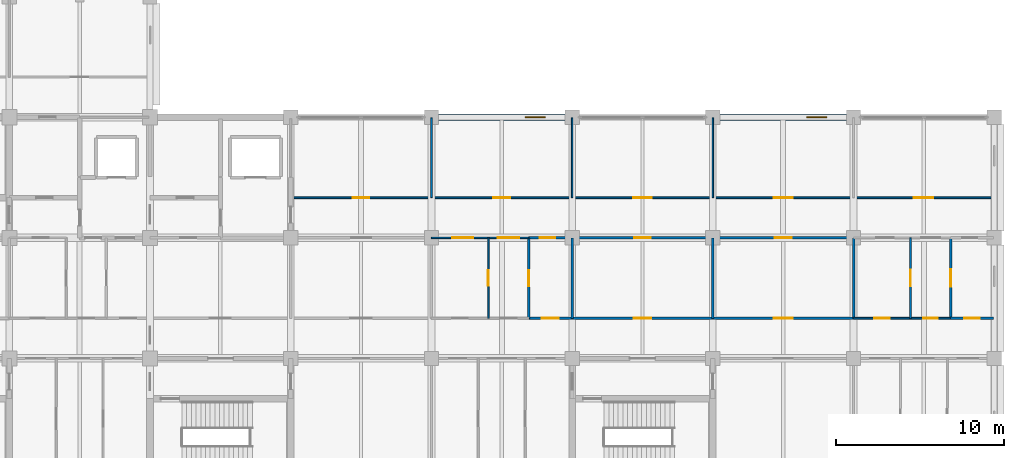
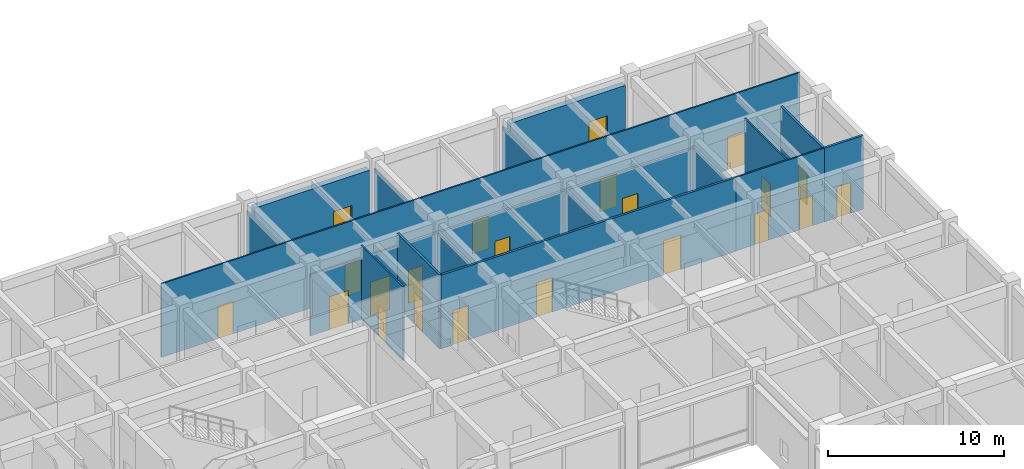
# One storey, part 58 of 68: 20 doors, 18 walls, 2 windows, 22 openings.
"""IFC4 building model written with IfcOpenShell, lengths in metres."""

import ifcopenshell
import ifcopenshell.guid

model = None  # the IFC model being written
_history = None  # IfcOwnerHistory: only IFC2X3 demands one
_inside = {}  # id of a spatial element -> (the spatial element, [elements in it])
_under = {}  # id of a project, library or spatial element -> (it, [spatial elements below it])
_declared = {}  # id of a project -> (the project, [libraries it declares])
_typed = {}  # id of a type object -> (the type object, [elements of that type])
_made_of = {}  # id of a material, layer set ... -> (it, [elements and type objects made of it])


def new_model(schema):
    """Start an empty IFC model of exactly this schema.

    Asked for "IFC4X3", IfcOpenShell would pick the latest addendum, in which some entities
    have other attributes; the version numbers below select the first issue.
    IFC2X3 requires an IfcOwnerHistory on every rooted entity: one is made here for all.
    """
    global model, _history
    if schema == "IFC4X3":
        model = ifcopenshell.file(schema_version=(4, 3, 0, 0))
    else:
        model = ifcopenshell.file(schema=schema)
    _inside.clear()
    _under.clear()
    _declared.clear()
    _typed.clear()
    _made_of.clear()
    _history = None
    if model.schema == "IFC2X3":
        org = make("IfcOrganization", Name="unknown")
        user = make(
            "IfcPersonAndOrganization",
            ThePerson=make("IfcPerson", FamilyName="unknown"),
            TheOrganization=org,
        )
        app = make(
            "IfcApplication",
            ApplicationDeveloper=org,
            Version="unknown",
            ApplicationFullName="unknown",
            ApplicationIdentifier="unknown",
        )
        _history = make(
            "IfcOwnerHistory",
            OwningUser=user,
            OwningApplication=app,
            ChangeAction="ADDED",
            CreationDate=0,
        )
    return model


def make(cls, **values):
    """One entity of the class cls with the attributes given. An attribute that is None is left unset."""
    return model.create_entity(
        cls, **{name: value for name, value in values.items() if value is not None}
    )


def rooted(cls, **values):
    """An entity with a GlobalId (a new one), such as an element, a storey or a relation."""
    return make(cls, GlobalId=ifcopenshell.guid.new(), OwnerHistory=_history, **values)


def si_unit(unit_type, name, prefix=None):
    """IfcSIUnit, for example si_unit("LENGTHUNIT", "METRE", prefix="MILLI")."""
    return make("IfcSIUnit", UnitType=unit_type, Prefix=prefix, Name=name)


def assignment(units):
    """IfcUnitAssignment: the units of a project."""
    return None if units is None else make("IfcUnitAssignment", Units=units)


def point(xyz):
    """IfcCartesianPoint."""
    return None if xyz is None else make("IfcCartesianPoint", Coordinates=xyz)


def direction(xyz):
    """IfcDirection."""
    return None if xyz is None else make("IfcDirection", DirectionRatios=xyz)


def frame(location, z_axis=None, x_axis=None):
    """IfcAxis2Placement3D, a coordinate frame: its origin and axes. An axis left out is left unset."""
    return make(
        "IfcAxis2Placement3D",
        Location=point(location),
        Axis=direction(z_axis),
        RefDirection=direction(x_axis),
    )


def frame_2d(location, x_axis=None):
    """IfcAxis2Placement2D, a coordinate frame in the plane: its origin and x axis."""
    return make(
        "IfcAxis2Placement2D", Location=point(location), RefDirection=direction(x_axis)
    )


def origin():
    """The frame at (0, 0, 0) with its axes left unset."""
    return frame((0.0, 0.0, 0.0))


def place(relative_to, where):
    """IfcLocalPlacement: puts the frame where relative to a parent placement (None: the world)."""
    return make(
        "IfcLocalPlacement", PlacementRelTo=relative_to, RelativePlacement=where
    )


def context(
    kind, dimensions, precision=None, world=None, true_north=None, identifier=None
):
    """IfcGeometricRepresentationContext, for example the 3D "Model" context."""
    return make(
        "IfcGeometricRepresentationContext",
        ContextIdentifier=identifier,
        ContextType=kind,
        CoordinateSpaceDimension=dimensions,
        Precision=precision,
        WorldCoordinateSystem=world,
        TrueNorth=true_north,
    )


def subcontext(parent, identifier, kind, view, scale=None):
    """IfcGeometricRepresentationSubContext, for example "Body" below "Model"."""
    return make(
        "IfcGeometricRepresentationSubContext",
        ContextIdentifier=identifier,
        ContextType=kind,
        ParentContext=parent,
        TargetScale=scale,
        TargetView=view,
    )


def project(units=None, contexts=None):
    """IfcProject with its units and contexts."""
    return rooted(
        "IfcProject",
        Name="project",
        RepresentationContexts=contexts,
        UnitsInContext=assignment(units),
    )


def spatial(cls, under=None, at=None, **own):
    """A site, building, storey or space (cls), placed at a placement, below another one or the project."""
    s = rooted(cls, ObjectPlacement=at, **own)
    if under is not None:
        _under.setdefault(under.id(), (under, []))[1].append(s)
    return s


def profile(cls, at=None, kind="AREA", **sizes):
    """A parametric profile (cls). Its sizes go by their IFC names, for example OverallWidth=200.0."""
    return make(cls, ProfileType=kind, Position=at, **sizes)


def rectangle(**sizes):
    """IfcRectangleProfileDef."""
    return profile("IfcRectangleProfileDef", **sizes)


def extrude(swept, where, along, depth):
    """IfcExtrudedAreaSolid: the profile swept, set in the frame where, extruded along a direction by depth."""
    return make(
        "IfcExtrudedAreaSolid",
        SweptArea=swept,
        Position=where,
        ExtrudedDirection=direction(along),
        Depth=depth,
    )


def shape(context_of_items, identifier, shape_type, items):
    """IfcShapeRepresentation: the items that make up one representation, for example the "Body"."""
    return make(
        "IfcShapeRepresentation",
        ContextOfItems=context_of_items,
        RepresentationIdentifier=identifier,
        RepresentationType=shape_type,
        Items=items,
    )


def material(Name=None, Category=None):
    """IfcMaterial."""
    return make("IfcMaterial", Name=Name, Category=Category)


def layer(
    of_material, thickness, ventilated=None, Name=None, Category=None, Priority=None
):
    """IfcMaterialLayer: one layer of a wall or slab, of a material (None: an air gap)."""
    return make(
        "IfcMaterialLayer",
        Material=of_material,
        LayerThickness=thickness,
        IsVentilated=ventilated,
        Name=Name,
        Category=Category,
        Priority=Priority,
    )


def layer_set(layers, Name=None):
    """IfcMaterialLayerSet."""
    return make("IfcMaterialLayerSet", MaterialLayers=layers, LayerSetName=Name)


def made_of(thing, what):
    """Note that an element or type object is made of a material, layer set ...; save() writes the relation."""
    if what is not None:
        _made_of.setdefault(what.id(), (what, []))[1].append(thing)
    return thing


def type_object(cls, material=None, **own):
    """A type object (cls), such as IfcWallType, which elements share."""
    return made_of(rooted(cls, **own), material)


def element(
    cls,
    number,
    at=None,
    inside=None,
    cuts=None,
    type_object=None,
    material=None,
    context=None,
    identifier="Body",
    shape_type=None,
    held_by="IfcProductDefinitionShape",
    body=None,
    shapes=None,
    **own,
):
    """One element of the class cls, such as IfcWall. Its Tag is "e" and its number.

    at: its placement. inside: the storey or other place that contains it. cuts: it is an
    opening in that element (IfcRelVoidsElement). A single representation is given by context,
    identifier, shape_type and body (its items); several are given by shapes. held_by: the class
    of the entity that holds the representations. save() writes the other relations.
    """
    e = rooted(cls, Tag="e%d" % number, ObjectPlacement=at, **own)
    if body is not None:
        shapes = [shape(context, identifier, shape_type, body)]
    if shapes is not None:
        e.Representation = make(held_by, Representations=shapes)
    if inside is not None:
        _inside.setdefault(inside.id(), (inside, []))[1].append(e)
    if cuts is not None:
        rooted(
            "IfcRelVoidsElement", RelatingBuildingElement=cuts, RelatedOpeningElement=e
        )
    if type_object is not None:
        _typed.setdefault(type_object.id(), (type_object, []))[1].append(e)
    return made_of(e, material)


def fill(opening, filler):
    """IfcRelFillsElement: the door or window that sits in an opening."""
    return rooted(
        "IfcRelFillsElement",
        RelatingOpeningElement=opening,
        RelatedBuildingElement=filler,
    )


def aggregate(whole, parts):
    """IfcRelAggregates: a whole, such as a stair, and the parts it consists of."""
    return rooted("IfcRelAggregates", RelatingObject=whole, RelatedObjects=parts)


def save(model, path):
    """Write the relations noted so far, then the file.

    IfcRelAggregates (storeys below a building ...), IfcRelContainedInSpatialStructure (elements
    in a storey), IfcRelDefinesByType, IfcRelAssociatesMaterial and IfcRelDeclares: one each for
    every whole, place, type object, material and project.
    """
    for whole, parts in _under.values():
        aggregate(whole, parts)
    for where, things in _inside.values():
        rooted(
            "IfcRelContainedInSpatialStructure",
            RelatedElements=things,
            RelatingStructure=where,
        )
    for kind, things in _typed.values():
        rooted("IfcRelDefinesByType", RelatedObjects=things, RelatingType=kind)
    for what, things in _made_of.values():
        rooted("IfcRelAssociatesMaterial", RelatedObjects=things, RelatingMaterial=what)
    for by, libraries in _declared.values():
        rooted("IfcRelDeclares", RelatingContext=by, RelatedDefinitions=libraries)
    model.write(path)


model = new_model("IFC4")

# Units and contexts
model_context = context("Model", 3, precision=1e-05, world=origin(), true_north=direction((0.0, 1.0)))
body_context = subcontext(model_context, "Body", "Model", "MODEL_VIEW")
ifc_project = project(units=[si_unit("LENGTHUNIT", "METRE"), si_unit("AREAUNIT", "SQUARE_METRE"), si_unit("VOLUMEUNIT", "CUBIC_METRE"), si_unit("PLANEANGLEUNIT", "RADIAN"), si_unit("MASSUNIT", "GRAM", prefix="KILO")], contexts=[model_context])

# Site, building, storey
site_placement = place(None, origin())
site = spatial("IfcSite", under=ifc_project, at=site_placement, CompositionType="ELEMENT")
building_placement = place(site_placement, origin())
building = spatial("IfcBuilding", under=site, at=building_placement, Name="Chengyuan Square Courthouse", CompositionType="ELEMENT")
storey_placement = place(building_placement, frame((0.0, 0.0, 5.39990234375)))
storey = spatial("IfcBuildingStorey", under=building, at=storey_placement, Name="L02", CompositionType="ELEMENT", Elevation=5.39990234375)

# Wall, opening, window
ifc_material_1 = material(Name="Concrete C40", Category="concrete")
ifc_layer_1 = layer(ifc_material_1, 0.3798828125)
ifc_layer_set_1 = layer_set([ifc_layer_1], Name="Concrete C40")
wall_type_1 = type_object("IfcWallType", Name="WL-EW1", PredefinedType="STANDARD", material=ifc_layer_set_1)
wall_1_placement = place(storey_placement, frame((134.820068359375, 108.0, 0.0), z_axis=(0.0, 0.0, 1.0), x_axis=(1.0, 0.0, 0.0)))
wall_1 = element("IfcWall", 1, at=wall_1_placement, inside=storey, type_object=wall_type_1, Name="Exterior Wall WL-L02-E238", PredefinedType="STANDARD", context=body_context, shape_type="SweptSolid", body=[
    extrude(rectangle(XDim=7.559814453125, YDim=0.3798828125, at=frame_2d((3.77978515625, 0.0))), origin(), (0.0, 0.0, 1.0), 4.47021484375),
])
opening_1_placement = place(wall_1_placement, frame((5.179931640625, 0.0, 0.85009765625)))
opening_1 = element("IfcOpeningElement", 2, at=opening_1_placement, cuts=wall_1, Name="Opening WN-041", PredefinedType="OPENING", context=body_context, shape_type="SweptSolid", body=[
    extrude(rectangle(XDim=1.199951171875, YDim=1.56005859375, at=frame_2d((0.60009765625, 0.780029296875))), frame((0.0, 0.201904296875, 0.0), z_axis=(0.0, -1.0, 0.0), x_axis=(1.0, 0.0, 0.0)), (0.0, 0.0, 1.0), 0.40380859375),
])
ifc_material_2 = material(Name="Thermally Broken Aluminium Triple Low-E Window", Category="aluminium")
window_type_1 = type_object("IfcWindowType", Name="WT-15", PartitioningType="SINGLE_PANEL", PredefinedType="WINDOW", material=ifc_material_2)
window_1_placement = place(opening_1_placement, origin())
window_1 = element("IfcWindow", 3, at=window_1_placement, inside=storey, type_object=window_type_1, Name="Facade Window WN-041", OverallHeight=1.56005859375, OverallWidth=1.199951171875, PartitioningType="SINGLE_PANEL", PredefinedType="WINDOW", context=body_context, shape_type="SweptSolid", body=[
    extrude(rectangle(XDim=1.199951171875, YDim=1.56005859375, at=frame_2d((0.60009765625, 0.780029296875))), frame((0.0, 0.030029296875, 0.0), z_axis=(0.0, -1.0, 0.0), x_axis=(1.0, 0.0, 0.0)), (0.0, 0.0, 1.0), 0.06005859375),
])
fill(opening_1, window_1)

wall_2_placement = place(storey_placement, frame((151.6201171875, 108.0, 0.0), z_axis=(0.0, 0.0, 1.0), x_axis=(1.0, 0.0, 0.0)))
wall_2 = element("IfcWall", 4, at=wall_2_placement, inside=storey, type_object=wall_type_1, Name="Exterior Wall WL-L02-E246", PredefinedType="STANDARD", context=body_context, shape_type="SweptSolid", body=[
    extrude(rectangle(XDim=7.559814453125, YDim=0.3798828125, at=frame_2d((3.77978515625, 0.0))), origin(), (0.0, 0.0, 1.0), 4.47021484375),
])
opening_2_placement = place(wall_2_placement, frame((5.179931640625, 0.0, 0.85009765625)))
opening_2 = element("IfcOpeningElement", 5, at=opening_2_placement, cuts=wall_2, Name="Opening WN-048", PredefinedType="OPENING", context=body_context, shape_type="SweptSolid", body=[
    extrude(rectangle(XDim=1.199951171875, YDim=1.919921875, at=frame_2d((0.60009765625, 0.9599609375))), frame((0.0, 0.201904296875, 0.0), z_axis=(0.0, -1.0, 0.0), x_axis=(1.0, 0.0, 0.0)), (0.0, 0.0, 1.0), 0.40380859375),
])
window_type_2 = type_object("IfcWindowType", Name="WT-17", PartitioningType="SINGLE_PANEL", PredefinedType="WINDOW", material=ifc_material_2)
window_2_placement = place(opening_2_placement, origin())
window_2 = element("IfcWindow", 6, at=window_2_placement, inside=storey, type_object=window_type_2, Name="Facade Window WN-048", OverallHeight=1.919921875, OverallWidth=1.199951171875, PartitioningType="SINGLE_PANEL", PredefinedType="WINDOW", context=body_context, shape_type="SweptSolid", body=[
    extrude(rectangle(XDim=1.199951171875, YDim=1.919921875, at=frame_2d((0.60009765625, 0.9599609375))), frame((0.0, 0.030029296875, 0.0), z_axis=(0.0, -1.0, 0.0), x_axis=(1.0, 0.0, 0.0)), (0.0, 0.0, 1.0), 0.06005859375),
])
fill(opening_2, window_2)

# Wall, openings, doors
ifc_material_3 = material(Name="Deliberation Room Sound-Insulated Partition")
ifc_layer_2 = layer(ifc_material_3, 0.14990234375)
ifc_layer_set_2 = layer_set([ifc_layer_2], Name="Deliberation Room Sound-Insulated Partition")
wall_type_2 = type_object("IfcWallType", Name="WL-PT3", PredefinedType="STANDARD", material=ifc_layer_set_2)
wall_3_placement = place(storey_placement, frame((140.199951171875, 96.0, 0.0), z_axis=(0.0, 0.0, 1.0), x_axis=(1.0, 0.0, 0.0)))
wall_3 = element("IfcWall", 7, at=wall_3_placement, inside=storey, type_object=wall_type_2, Name="Interior Wall WL-L02-I1123", PredefinedType="STANDARD", context=body_context, shape_type="SweptSolid", body=[
    extrude(rectangle(XDim=19.400146484375, YDim=0.14990234375, at=frame_2d((9.7001953125, 0.0))), origin(), (0.0, 0.0, 1.0), 5.1201171875),
])
opening_3_placement = place(wall_3_placement, frame((0.7900390625, 0.0, 0.0)))
opening_3 = element("IfcOpeningElement", 8, at=opening_3_placement, cuts=wall_3, Name="Opening DR-1151", PredefinedType="OPENING", context=body_context, shape_type="SweptSolid", body=[
    extrude(rectangle(XDim=1.02001953125, YDim=2.39990234375, at=frame_2d((0.510009765625, 1.199951171875))), frame((0.0, 0.0869140625, 0.0), z_axis=(0.0, -1.0, 0.0), x_axis=(1.0, 0.0, 0.0)), (0.0, 0.0, 1.0), 0.173828125),
])
opening_4_placement = place(wall_3_placement, frame((6.27001953125, 0.0, 0.0)))
opening_4 = element("IfcOpeningElement", 9, at=opening_4_placement, cuts=wall_3, Name="Opening DR-1152", PredefinedType="OPENING", context=body_context, shape_type="SweptSolid", body=[
    extrude(rectangle(XDim=1.06005859375, YDim=2.39990234375, at=frame_2d((0.530029296875, 1.199951171875))), frame((0.0, 0.0869140625, 0.0), z_axis=(0.0, -1.0, 0.0), x_axis=(1.0, 0.0, 0.0)), (0.0, 0.0, 1.0), 0.173828125),
])
opening_5_placement = place(wall_3_placement, frame((14.6298828125, 0.0, 0.0)))
opening_5 = element("IfcOpeningElement", 10, at=opening_5_placement, cuts=wall_3, Name="Opening DR-1153", PredefinedType="OPENING", context=body_context, shape_type="SweptSolid", body=[
    extrude(rectangle(XDim=1.139892578125, YDim=2.39990234375, at=frame_2d((0.56982421875, 1.199951171875))), frame((0.0, 0.0869140625, 0.0), z_axis=(0.0, -1.0, 0.0), x_axis=(1.0, 0.0, 0.0)), (0.0, 0.0, 1.0), 0.173828125),
])
ifc_material_4 = material(Name="Acoustic Solid-Core Timber Door", Category="wood")
door_type_1 = type_object("IfcDoorType", Name="DT-41", OperationType="NOTDEFINED", PredefinedType="DOOR", material=ifc_material_4)
door_1_placement = place(opening_3_placement, origin())
door_1 = element("IfcDoor", 11, at=door_1_placement, inside=storey, type_object=door_type_1, Name="Interior Door DR-1151", OperationType="SINGLE_SWING_LEFT", OverallHeight=2.39990234375, OverallWidth=1.02001953125, PredefinedType="DOOR", context=body_context, shape_type="SweptSolid", body=[
    extrude(rectangle(XDim=1.02001953125, YDim=2.39990234375, at=frame_2d((0.510009765625, 1.199951171875))), frame((0.0, 0.02490234375, 0.0), z_axis=(0.0, -1.0, 0.0), x_axis=(1.0, 0.0, 0.0)), (0.0, 0.0, 1.0), 0.050048828125),
])
fill(opening_3, door_1)
door_type_2 = type_object("IfcDoorType", Name="DT-42", OperationType="NOTDEFINED", PredefinedType="DOOR", material=ifc_material_4)
door_2_placement = place(opening_4_placement, origin())
door_2 = element("IfcDoor", 12, at=door_2_placement, inside=storey, type_object=door_type_2, Name="Interior Door DR-1152", OperationType="SINGLE_SWING_RIGHT", OverallHeight=2.39990234375, OverallWidth=1.06005859375, PredefinedType="DOOR", context=body_context, shape_type="SweptSolid", body=[
    extrude(rectangle(XDim=1.06005859375, YDim=2.39990234375, at=frame_2d((0.530029296875, 1.199951171875))), frame((0.0, 0.02490234375, 0.0), z_axis=(0.0, -1.0, 0.0), x_axis=(1.0, 0.0, 0.0)), (0.0, 0.0, 1.0), 0.050048828125),
])
fill(opening_4, door_2)
door_type_3 = type_object("IfcDoorType", Name="DT-43", OperationType="NOTDEFINED", PredefinedType="DOOR", material=ifc_material_4)
door_3_placement = place(opening_5_placement, origin())
door_3 = element("IfcDoor", 13, at=door_3_placement, inside=storey, type_object=door_type_3, Name="Interior Door DR-1153", OperationType="SINGLE_SWING_LEFT", OverallHeight=2.39990234375, OverallWidth=1.139892578125, PredefinedType="DOOR", context=body_context, shape_type="SweptSolid", body=[
    extrude(rectangle(XDim=1.139892578125, YDim=2.39990234375, at=frame_2d((0.56982421875, 1.199951171875))), frame((0.0, 0.02490234375, 0.0), z_axis=(0.0, -1.0, 0.0), x_axis=(1.0, 0.0, 0.0)), (0.0, 0.0, 1.0), 0.050048828125),
])
fill(opening_5, door_3)

# Wall, opening, door
wall_4_placement = place(storey_placement, frame((165.39990234375, 96.0, 0.0), z_axis=(0.0, 0.0, 1.0), x_axis=(1.0, 0.0, 0.0)))
wall_4 = element("IfcWall", 14, at=wall_4_placement, inside=storey, type_object=wall_type_2, Name="Interior Wall WL-L02-I1125", PredefinedType="STANDARD", context=body_context, shape_type="SweptSolid", body=[
    extrude(rectangle(XDim=2.56005859375, YDim=0.14990234375, at=frame_2d((1.280029296875, 0.0))), origin(), (0.0, 0.0, 1.0), 5.1201171875),
])
opening_6_placement = place(wall_4_placement, frame((0.820068359375, 0.0, 0.0)))
opening_6 = element("IfcOpeningElement", 15, at=opening_6_placement, cuts=wall_4, Name="Opening DR-1156", PredefinedType="OPENING", context=body_context, shape_type="SweptSolid", body=[
    extrude(rectangle(XDim=0.919921875, YDim=2.14990234375, at=frame_2d((0.4599609375, 1.074951171875))), frame((0.0, 0.0869140625, 0.0), z_axis=(0.0, -1.0, 0.0), x_axis=(1.0, 0.0, 0.0)), (0.0, 0.0, 1.0), 0.173828125),
])
door_type_4 = type_object("IfcDoorType", Name="DT-29", OperationType="NOTDEFINED", PredefinedType="DOOR", material=ifc_material_4)
door_4_placement = place(opening_6_placement, origin())
door_4 = element("IfcDoor", 16, at=door_4_placement, inside=storey, type_object=door_type_4, Name="Interior Door DR-1156", OperationType="SINGLE_SWING_RIGHT", OverallHeight=2.14990234375, OverallWidth=0.919921875, PredefinedType="DOOR", context=body_context, shape_type="SweptSolid", body=[
    extrude(rectangle(XDim=0.919921875, YDim=2.14990234375, at=frame_2d((0.4599609375, 1.074951171875))), frame((0.0, 0.02490234375, 0.0), z_axis=(0.0, -1.0, 0.0), x_axis=(1.0, 0.0, 0.0)), (0.0, 0.0, 1.0), 0.050048828125),
])
fill(opening_6, door_4)

# Wall, openings, doors
wall_5_placement = place(storey_placement, frame((140.199951171875, 100.800048828125, 0.0), z_axis=(0.0, 0.0, 1.0), x_axis=(1.0, 0.0, 0.0)))
wall_5 = element("IfcWall", 17, at=wall_5_placement, inside=storey, type_object=wall_type_2, Name="Interior Wall WL-L02-I1149", PredefinedType="STANDARD", context=body_context, shape_type="SweptSolid", body=[
    extrude(rectangle(XDim=19.400146484375, YDim=0.14990234375, at=frame_2d((9.7001953125, 0.0))), origin(), (0.0, 0.0, 1.0), 4.27001953125),
])
opening_7_placement = place(wall_5_placement, frame((0.657470703125, 0.0, 0.0)))
opening_7 = element("IfcOpeningElement", 18, at=opening_7_placement, cuts=wall_5, Name="Opening DR-1098", PredefinedType="OPENING", context=body_context, shape_type="SweptSolid", body=[
    extrude(rectangle(XDim=0.93994140625, YDim=2.300048828125, at=frame_2d((0.469970703125, 1.14990234375))), frame((0.0, 0.0869140625, 0.0), z_axis=(0.0, -1.0, 0.0), x_axis=(1.0, 0.0, 0.0)), (0.0, 0.0, 1.0), 0.173828125),
])
opening_8_placement = place(wall_5_placement, frame((6.31005859375, 0.0, 0.0)))
opening_8 = element("IfcOpeningElement", 19, at=opening_8_placement, cuts=wall_5, Name="Opening DR-1099", PredefinedType="OPENING", context=body_context, shape_type="SweptSolid", body=[
    extrude(rectangle(XDim=0.97998046875, YDim=2.35009765625, at=frame_2d((0.489990234375, 1.175048828125))), frame((0.0, 0.0869140625, 0.0), z_axis=(0.0, -1.0, 0.0), x_axis=(1.0, 0.0, 0.0)), (0.0, 0.0, 1.0), 0.173828125),
])
opening_9_placement = place(wall_5_placement, frame((14.68994140625, 0.0, 0.0)))
opening_9 = element("IfcOpeningElement", 20, at=opening_9_placement, cuts=wall_5, Name="Opening DR-1100", PredefinedType="OPENING", context=body_context, shape_type="SweptSolid", body=[
    extrude(rectangle(XDim=1.02001953125, YDim=2.39990234375, at=frame_2d((0.510009765625, 1.199951171875))), frame((0.0, 0.0869140625, 0.0), z_axis=(0.0, -1.0, 0.0), x_axis=(1.0, 0.0, 0.0)), (0.0, 0.0, 1.0), 0.173828125),
])
door_type_5 = type_object("IfcDoorType", Name="DT-39", OperationType="NOTDEFINED", PredefinedType="DOOR", material=ifc_material_4)
door_5_placement = place(opening_7_placement, origin())
door_5 = element("IfcDoor", 21, at=door_5_placement, inside=storey, type_object=door_type_5, Name="Interior Door DR-1098", OperationType="SINGLE_SWING_LEFT", OverallHeight=2.300048828125, OverallWidth=0.93994140625, PredefinedType="DOOR", context=body_context, shape_type="SweptSolid", body=[
    extrude(rectangle(XDim=0.93994140625, YDim=2.300048828125, at=frame_2d((0.469970703125, 1.14990234375))), frame((0.0, 0.02490234375, 0.0), z_axis=(0.0, -1.0, 0.0), x_axis=(1.0, 0.0, 0.0)), (0.0, 0.0, 1.0), 0.050048828125),
])
fill(opening_7, door_5)
door_type_6 = type_object("IfcDoorType", Name="DT-40", OperationType="NOTDEFINED", PredefinedType="DOOR", material=ifc_material_4)
door_6_placement = place(opening_8_placement, origin())
door_6 = element("IfcDoor", 22, at=door_6_placement, inside=storey, type_object=door_type_6, Name="Interior Door DR-1099", OperationType="SINGLE_SWING_RIGHT", OverallHeight=2.35009765625, OverallWidth=0.97998046875, PredefinedType="DOOR", context=body_context, shape_type="SweptSolid", body=[
    extrude(rectangle(XDim=0.97998046875, YDim=2.35009765625, at=frame_2d((0.489990234375, 1.175048828125))), frame((0.0, 0.02490234375, 0.0), z_axis=(0.0, -1.0, 0.0), x_axis=(1.0, 0.0, 0.0)), (0.0, 0.0, 1.0), 0.050048828125),
])
fill(opening_8, door_6)
door_7_placement = place(opening_9_placement, origin())
door_7 = element("IfcDoor", 23, at=door_7_placement, inside=storey, type_object=door_type_1, Name="Interior Door DR-1100", OperationType="SINGLE_SWING_LEFT", OverallHeight=2.39990234375, OverallWidth=1.02001953125, PredefinedType="DOOR", context=body_context, shape_type="SweptSolid", body=[
    extrude(rectangle(XDim=1.02001953125, YDim=2.39990234375, at=frame_2d((0.510009765625, 1.199951171875))), frame((0.0, 0.02490234375, 0.0), z_axis=(0.0, -1.0, 0.0), x_axis=(1.0, 0.0, 0.0)), (0.0, 0.0, 1.0), 0.050048828125),
])
fill(opening_9, door_7)

# Wall, opening, door
wall_6_placement = place(storey_placement, frame((140.199951171875, 96.0, 0.0), z_axis=(0.0, 0.0, 1.0), x_axis=(0.0, 1.0, 0.0)))
wall_6 = element("IfcWall", 24, at=wall_6_placement, inside=storey, type_object=wall_type_2, Name="Interior Wall WL-L02-I1361", PredefinedType="STANDARD", context=body_context, shape_type="SweptSolid", body=[
    extrude(rectangle(XDim=4.800048828125, YDim=0.14990234375, at=frame_2d((2.39990234375, 0.0))), origin(), (0.0, 0.0, 1.0), 5.1201171875),
])
opening_10_placement = place(wall_6_placement, frame((1.919921875, 0.0, 0.0)))
opening_10 = element("IfcOpeningElement", 25, at=opening_10_placement, cuts=wall_6, Name="Opening DR-1174", PredefinedType="OPENING", context=body_context, shape_type="SweptSolid", body=[
    extrude(rectangle(XDim=0.9599609375, YDim=2.199951171875, at=frame_2d((0.47998046875, 1.10009765625))), frame((0.0, 0.0869140625, 0.0), z_axis=(0.0, -1.0, 0.0), x_axis=(1.0, 0.0, 0.0)), (0.0, 0.0, 1.0), 0.173828125),
])
door_type_7 = type_object("IfcDoorType", Name="DT-30", OperationType="NOTDEFINED", PredefinedType="DOOR", material=ifc_material_4)
door_8_placement = place(opening_10_placement, origin())
door_8 = element("IfcDoor", 26, at=door_8_placement, inside=storey, type_object=door_type_7, Name="Interior Door DR-1174", OperationType="SINGLE_SWING_LEFT", OverallHeight=2.199951171875, OverallWidth=0.9599609375, PredefinedType="DOOR", context=body_context, shape_type="SweptSolid", body=[
    extrude(rectangle(XDim=0.9599609375, YDim=2.199951171875, at=frame_2d((0.47998046875, 1.10009765625))), frame((0.0, 0.02490234375, 0.0), z_axis=(0.0, -1.0, 0.0), x_axis=(1.0, 0.0, 0.0)), (0.0, 0.0, 1.0), 0.050048828125),
])
fill(opening_10, door_8)

# Walls
for number, where, z_axis, x_axis, name in (
    (27, (142.800048828125, 96.0, 0.0), (0.0, 0.0, 1.0), (0.0, 1.0, 0.0), "Interior Wall WL-L02-I1365"),
    (28, (151.199951171875, 96.0, 0.0), (0.0, 0.0, 1.0), (0.0, 1.0, 0.0), "Interior Wall WL-L02-I1370"),
    (29, (159.60009765625, 96.0, 0.0), (0.0, 0.0, 1.0), (0.0, 1.0, 0.0), "Interior Wall WL-L02-I1381"),
):
    element("IfcWall", number, at=place(storey_placement, frame(where, z_axis=z_axis, x_axis=x_axis)), inside=storey, type_object=wall_type_2, Name=name, PredefinedType="STANDARD", context=body_context, shape_type="SweptSolid", body=[
        extrude(rectangle(XDim=4.800048828125, YDim=0.14990234375, at=frame_2d((2.39990234375, 0.0))), origin(), (0.0, 0.0, 1.0), 4.3701171875),
    ])

# Wall, opening, door
wall_7_placement = place(storey_placement, frame((165.39990234375, 96.0, 0.0), z_axis=(0.0, 0.0, 1.0), x_axis=(0.0, 1.0, 0.0)))
wall_7 = element("IfcWall", 30, at=wall_7_placement, inside=storey, type_object=wall_type_2, Name="Interior Wall WL-L02-I1387", PredefinedType="STANDARD", context=body_context, shape_type="SweptSolid", body=[
    extrude(rectangle(XDim=4.800048828125, YDim=0.14990234375, at=frame_2d((2.39990234375, 0.0))), origin(), (0.0, 0.0, 1.0), 5.1201171875),
])
opening_11_placement = place(wall_7_placement, frame((1.8798828125, 0.0, 0.0)))
opening_11 = element("IfcOpeningElement", 31, at=opening_11_placement, cuts=wall_7, Name="Opening DR-1176", PredefinedType="OPENING", context=body_context, shape_type="SweptSolid", body=[
    extrude(rectangle(XDim=1.0400390625, YDim=2.199951171875, at=frame_2d((0.52001953125, 1.10009765625))), frame((0.0, 0.0869140625, 0.0), z_axis=(0.0, -1.0, 0.0), x_axis=(1.0, 0.0, 0.0)), (0.0, 0.0, 1.0), 0.173828125),
])
door_type_8 = type_object("IfcDoorType", Name="DT-32", OperationType="NOTDEFINED", PredefinedType="DOOR", material=ifc_material_4)
door_9_placement = place(opening_11_placement, origin())
door_9 = element("IfcDoor", 32, at=door_9_placement, inside=storey, type_object=door_type_8, Name="Interior Door DR-1176", OperationType="SINGLE_SWING_LEFT", OverallHeight=2.199951171875, OverallWidth=1.0400390625, PredefinedType="DOOR", context=body_context, shape_type="SweptSolid", body=[
    extrude(rectangle(XDim=1.0400390625, YDim=2.199951171875, at=frame_2d((0.52001953125, 1.10009765625))), frame((0.0, 0.02490234375, 0.0), z_axis=(0.0, -1.0, 0.0), x_axis=(1.0, 0.0, 0.0)), (0.0, 0.0, 1.0), 0.050048828125),
])
fill(opening_11, door_9)

# Wall, openings, doors
ifc_material_5 = material(Name="Gypsum Plasterboard Acoustic Stud Partition")
ifc_layer_3 = layer(ifc_material_5, 0.10009765625)
ifc_layer_set_3 = layer_set([ifc_layer_3], Name="Gypsum Plasterboard Acoustic Stud Partition")
wall_type_3 = type_object("IfcWallType", Name="WL-PT6", PredefinedType="STANDARD", material=ifc_layer_set_3)
wall_8_placement = place(storey_placement, frame((159.60009765625, 96.0, 0.0), z_axis=(0.0, 0.0, 1.0), x_axis=(1.0, 0.0, 0.0)))
wall_8 = element("IfcWall", 33, at=wall_8_placement, inside=storey, type_object=wall_type_3, Name="Interior Wall WL-L02-I1124", PredefinedType="STANDARD", context=body_context, shape_type="SweptSolid", body=[
    extrude(rectangle(XDim=5.7998046875, YDim=0.10009765625, at=frame_2d((2.89990234375, 0.0))), origin(), (0.0, 0.0, 1.0), 5.1201171875),
])
opening_12_placement = place(wall_8_placement, frame((1.25, 0.0, 0.0)))
opening_12 = element("IfcOpeningElement", 34, at=opening_12_placement, cuts=wall_8, Name="Opening DR-1154", PredefinedType="OPENING", context=body_context, shape_type="SweptSolid", body=[
    extrude(rectangle(XDim=0.89990234375, YDim=2.14990234375, at=frame_2d((0.449951171875, 1.074951171875))), frame((0.0, 0.06201171875, 0.0), z_axis=(0.0, -1.0, 0.0), x_axis=(1.0, 0.0, 0.0)), (0.0, 0.0, 1.0), 0.1240234375),
])
opening_13_placement = place(wall_8_placement, frame((4.169921875, 0.0, 0.0)))
opening_13 = element("IfcOpeningElement", 35, at=opening_13_placement, cuts=wall_8, Name="Opening DR-1155", PredefinedType="OPENING", context=body_context, shape_type="SweptSolid", body=[
    extrude(rectangle(XDim=0.860107421875, YDim=2.10009765625, at=frame_2d((0.43017578125, 1.050048828125))), frame((0.0, 0.06201171875, 0.0), z_axis=(0.0, -1.0, 0.0), x_axis=(1.0, 0.0, 0.0)), (0.0, 0.0, 1.0), 0.1240234375),
])
door_type_9 = type_object("IfcDoorType", Name="DT-27", OperationType="NOTDEFINED", PredefinedType="DOOR", material=ifc_material_4)
door_10_placement = place(opening_12_placement, origin())
door_10 = element("IfcDoor", 36, at=door_10_placement, inside=storey, type_object=door_type_9, Name="Interior Door DR-1154", OperationType="SINGLE_SWING_RIGHT", OverallHeight=2.14990234375, OverallWidth=0.89990234375, PredefinedType="DOOR", context=body_context, shape_type="SweptSolid", body=[
    extrude(rectangle(XDim=0.89990234375, YDim=2.14990234375, at=frame_2d((0.449951171875, 1.074951171875))), frame((0.0, 0.02490234375, 0.0), z_axis=(0.0, -1.0, 0.0), x_axis=(1.0, 0.0, 0.0)), (0.0, 0.0, 1.0), 0.050048828125),
])
fill(opening_12, door_10)
door_type_10 = type_object("IfcDoorType", Name="DT-28", OperationType="NOTDEFINED", PredefinedType="DOOR", material=ifc_material_4)
door_11_placement = place(opening_13_placement, origin())
door_11 = element("IfcDoor", 37, at=door_11_placement, inside=storey, type_object=door_type_10, Name="Interior Door DR-1155", OperationType="SINGLE_SWING_LEFT", OverallHeight=2.10009765625, OverallWidth=0.860107421875, PredefinedType="DOOR", context=body_context, shape_type="SweptSolid", body=[
    extrude(rectangle(XDim=0.860107421875, YDim=2.10009765625, at=frame_2d((0.43017578125, 1.050048828125))), frame((0.0, 0.02490234375, 0.0), z_axis=(0.0, -1.0, 0.0), x_axis=(1.0, 0.0, 0.0)), (0.0, 0.0, 1.0), 0.050048828125),
])
fill(opening_13, door_11)

wall_9_placement = place(storey_placement, frame((134.39990234375, 100.800048828125, 0.0), z_axis=(0.0, 0.0, 1.0), x_axis=(1.0, 0.0, 0.0)))
wall_9 = element("IfcWall", 38, at=wall_9_placement, inside=storey, type_object=wall_type_3, Name="Interior Wall WL-L02-I1148", PredefinedType="STANDARD", context=body_context, shape_type="SweptSolid", body=[
    extrude(rectangle(XDim=5.800048828125, YDim=0.10009765625, at=frame_2d((2.89990234375, 0.0))), origin(), (0.0, 0.0, 1.0), 4.27001953125),
])
opening_14_placement = place(wall_9_placement, frame((1.25244140625, 0.0, 0.0)))
opening_14 = element("IfcOpeningElement", 39, at=opening_14_placement, cuts=wall_9, Name="Opening DR-1096", PredefinedType="OPENING", context=body_context, shape_type="SweptSolid", body=[
    extrude(rectangle(XDim=1.239990234375, YDim=2.300048828125, at=frame_2d((0.6201171875, 1.14990234375))), frame((0.0, 0.06201171875, 0.0), z_axis=(0.0, -1.0, 0.0), x_axis=(1.0, 0.0, 0.0)), (0.0, 0.0, 1.0), 0.1240234375),
])
opening_15_placement = place(wall_9_placement, frame((3.9599609375, 0.0, 0.0)))
opening_15 = element("IfcOpeningElement", 40, at=opening_15_placement, cuts=wall_9, Name="Opening DR-1097", PredefinedType="OPENING", context=body_context, shape_type="SweptSolid", body=[
    extrude(rectangle(XDim=1.280029296875, YDim=2.35009765625, at=frame_2d((0.64013671875, 1.175048828125))), frame((0.0, 0.06201171875, 0.0), z_axis=(0.0, -1.0, 0.0), x_axis=(1.0, 0.0, 0.0)), (0.0, 0.0, 1.0), 0.1240234375),
])
door_type_11 = type_object("IfcDoorType", Name="DT-37", OperationType="NOTDEFINED", PredefinedType="DOOR", material=ifc_material_4)
door_12_placement = place(opening_14_placement, origin())
door_12 = element("IfcDoor", 41, at=door_12_placement, inside=storey, type_object=door_type_11, Name="Interior Door DR-1096", OperationType="SINGLE_SWING_LEFT", OverallHeight=2.300048828125, OverallWidth=1.239990234375, PredefinedType="DOOR", context=body_context, shape_type="SweptSolid", body=[
    extrude(rectangle(XDim=1.239990234375, YDim=2.300048828125, at=frame_2d((0.6201171875, 1.14990234375))), frame((0.0, 0.02490234375, 0.0), z_axis=(0.0, -1.0, 0.0), x_axis=(1.0, 0.0, 0.0)), (0.0, 0.0, 1.0), 0.050048828125),
])
fill(opening_14, door_12)
door_type_12 = type_object("IfcDoorType", Name="DT-38", OperationType="NOTDEFINED", PredefinedType="DOOR", material=ifc_material_4)
door_13_placement = place(opening_15_placement, origin())
door_13 = element("IfcDoor", 42, at=door_13_placement, inside=storey, type_object=door_type_12, Name="Interior Door DR-1097", OperationType="SINGLE_SWING_RIGHT", OverallHeight=2.35009765625, OverallWidth=1.280029296875, PredefinedType="DOOR", context=body_context, shape_type="SweptSolid", body=[
    extrude(rectangle(XDim=1.280029296875, YDim=2.35009765625, at=frame_2d((0.64013671875, 1.175048828125))), frame((0.0, 0.02490234375, 0.0), z_axis=(0.0, -1.0, 0.0), x_axis=(1.0, 0.0, 0.0)), (0.0, 0.0, 1.0), 0.050048828125),
])
fill(opening_15, door_13)

wall_10_placement = place(storey_placement, frame((126.0, 103.199951171875, 0.0), z_axis=(0.0, 0.0, 1.0), x_axis=(1.0, 0.0, 0.0)))
wall_10 = element("IfcWall", 43, at=wall_10_placement, inside=storey, type_object=wall_type_3, Name="Interior Wall WL-L02-I1161", PredefinedType="STANDARD", context=body_context, shape_type="SweptSolid", body=[
    extrude(rectangle(XDim=41.9599609375, YDim=0.10009765625, at=frame_2d((20.97998046875, 0.0))), origin(), (0.0, 0.0, 1.0), 5.1201171875),
])
opening_16_placement = place(wall_10_placement, frame((3.699951171875, 0.0, 0.0)))
opening_16 = element("IfcOpeningElement", 44, at=opening_16_placement, cuts=wall_10, Name="Opening DR-1090", PredefinedType="OPENING", context=body_context, shape_type="SweptSolid", body=[
    extrude(rectangle(XDim=1.0, YDim=2.25, at=frame_2d((0.5, 1.125))), frame((0.0, 0.06201171875, 0.0), z_axis=(0.0, -1.0, 0.0), x_axis=(1.0, 0.0, 0.0)), (0.0, 0.0, 1.0), 0.1240234375),
])
opening_17_placement = place(wall_10_placement, frame((12.080078125, 0.0, 0.0)))
opening_17 = element("IfcOpeningElement", 45, at=opening_17_placement, cuts=wall_10, Name="Opening DR-1091", PredefinedType="OPENING", context=body_context, shape_type="SweptSolid", body=[
    extrude(rectangle(XDim=1.0400390625, YDim=2.199951171875, at=frame_2d((0.52001953125, 1.10009765625))), frame((0.0, 0.06201171875, 0.0), z_axis=(0.0, -1.0, 0.0), x_axis=(1.0, 0.0, 0.0)), (0.0, 0.0, 1.0), 0.1240234375),
])
opening_18_placement = place(wall_10_placement, frame((20.4599609375, 0.0, 0.0)))
opening_18 = element("IfcOpeningElement", 46, at=opening_18_placement, cuts=wall_10, Name="Opening DR-1092", PredefinedType="OPENING", context=body_context, shape_type="SweptSolid", body=[
    extrude(rectangle(XDim=1.080078125, YDim=2.25, at=frame_2d((0.5400390625, 1.125))), frame((0.0, 0.06201171875, 0.0), z_axis=(0.0, -1.0, 0.0), x_axis=(1.0, 0.0, 0.0)), (0.0, 0.0, 1.0), 0.1240234375),
])
opening_19_placement = place(wall_10_placement, frame((28.840087890625, 0.0, 0.0)))
opening_19 = element("IfcOpeningElement", 47, at=opening_19_placement, cuts=wall_10, Name="Opening DR-1093", PredefinedType="OPENING", context=body_context, shape_type="SweptSolid", body=[
    extrude(rectangle(XDim=1.1201171875, YDim=2.25, at=frame_2d((0.56005859375, 1.125))), frame((0.0, 0.06201171875, 0.0), z_axis=(0.0, -1.0, 0.0), x_axis=(1.0, 0.0, 0.0)), (0.0, 0.0, 1.0), 0.1240234375),
])
opening_20_placement = place(wall_10_placement, frame((37.199951171875, 0.0, 0.0)))
opening_20 = element("IfcOpeningElement", 48, at=opening_20_placement, cuts=wall_10, Name="Opening DR-1094", PredefinedType="OPENING", context=body_context, shape_type="SweptSolid", body=[
    extrude(rectangle(XDim=1.159912109375, YDim=2.300048828125, at=frame_2d((0.580078125, 1.14990234375))), frame((0.0, 0.06201171875, 0.0), z_axis=(0.0, -1.0, 0.0), x_axis=(1.0, 0.0, 0.0)), (0.0, 0.0, 1.0), 0.1240234375),
])
door_type_13 = type_object("IfcDoorType", Name="DT-31", OperationType="NOTDEFINED", PredefinedType="DOOR", material=ifc_material_4)
door_14_placement = place(opening_16_placement, origin())
door_14 = element("IfcDoor", 49, at=door_14_placement, inside=storey, type_object=door_type_13, Name="Interior Door DR-1090", OperationType="SINGLE_SWING_LEFT", OverallHeight=2.25, OverallWidth=1.0, PredefinedType="DOOR", context=body_context, shape_type="SweptSolid", body=[
    extrude(rectangle(XDim=1.0, YDim=2.25, at=frame_2d((0.5, 1.125))), frame((0.0, 0.02490234375, 0.0), z_axis=(0.0, -1.0, 0.0), x_axis=(1.0, 0.0, 0.0)), (0.0, 0.0, 1.0), 0.050048828125),
])
fill(opening_16, door_14)
door_15_placement = place(opening_17_placement, origin())
door_15 = element("IfcDoor", 50, at=door_15_placement, inside=storey, type_object=door_type_8, Name="Interior Door DR-1091", OperationType="SINGLE_SWING_RIGHT", OverallHeight=2.199951171875, OverallWidth=1.0400390625, PredefinedType="DOOR", context=body_context, shape_type="SweptSolid", body=[
    extrude(rectangle(XDim=1.0400390625, YDim=2.199951171875, at=frame_2d((0.52001953125, 1.10009765625))), frame((0.0, 0.02490234375, 0.0), z_axis=(0.0, -1.0, 0.0), x_axis=(1.0, 0.0, 0.0)), (0.0, 0.0, 1.0), 0.050048828125),
])
fill(opening_17, door_15)
door_type_14 = type_object("IfcDoorType", Name="DT-33", OperationType="NOTDEFINED", PredefinedType="DOOR", material=ifc_material_4)
door_16_placement = place(opening_18_placement, origin())
door_16 = element("IfcDoor", 51, at=door_16_placement, inside=storey, type_object=door_type_14, Name="Interior Door DR-1092", OperationType="SINGLE_SWING_LEFT", OverallHeight=2.25, OverallWidth=1.080078125, PredefinedType="DOOR", context=body_context, shape_type="SweptSolid", body=[
    extrude(rectangle(XDim=1.080078125, YDim=2.25, at=frame_2d((0.5400390625, 1.125))), frame((0.0, 0.02490234375, 0.0), z_axis=(0.0, -1.0, 0.0), x_axis=(1.0, 0.0, 0.0)), (0.0, 0.0, 1.0), 0.050048828125),
])
fill(opening_18, door_16)
door_type_15 = type_object("IfcDoorType", Name="DT-34", OperationType="NOTDEFINED", PredefinedType="DOOR", material=ifc_material_4)
door_17_placement = place(opening_19_placement, origin())
door_17 = element("IfcDoor", 52, at=door_17_placement, inside=storey, type_object=door_type_15, Name="Interior Door DR-1093", OperationType="SINGLE_SWING_RIGHT", OverallHeight=2.25, OverallWidth=1.1201171875, PredefinedType="DOOR", context=body_context, shape_type="SweptSolid", body=[
    extrude(rectangle(XDim=1.1201171875, YDim=2.25, at=frame_2d((0.56005859375, 1.125))), frame((0.0, 0.02490234375, 0.0), z_axis=(0.0, -1.0, 0.0), x_axis=(1.0, 0.0, 0.0)), (0.0, 0.0, 1.0), 0.050048828125),
])
fill(opening_19, door_17)
door_type_16 = type_object("IfcDoorType", Name="DT-35", OperationType="NOTDEFINED", PredefinedType="DOOR", material=ifc_material_4)
door_18_placement = place(opening_20_placement, origin())
door_18 = element("IfcDoor", 53, at=door_18_placement, inside=storey, type_object=door_type_16, Name="Interior Door DR-1094", OperationType="SINGLE_SWING_LEFT", OverallHeight=2.300048828125, OverallWidth=1.159912109375, PredefinedType="DOOR", context=body_context, shape_type="SweptSolid", body=[
    extrude(rectangle(XDim=1.159912109375, YDim=2.300048828125, at=frame_2d((0.580078125, 1.14990234375))), frame((0.0, 0.02490234375, 0.0), z_axis=(0.0, -1.0, 0.0), x_axis=(1.0, 0.0, 0.0)), (0.0, 0.0, 1.0), 0.050048828125),
])
fill(opening_20, door_18)

# Wall
wall_11_placement = place(storey_placement, frame((134.39990234375, 103.199951171875, 0.0), z_axis=(0.0, 0.0, 1.0), x_axis=(0.0, 1.0, 0.0)))
element("IfcWall", 54, at=wall_11_placement, inside=storey, type_object=wall_type_3, Name="Interior Wall WL-L02-I1357", PredefinedType="STANDARD", context=body_context, shape_type="SweptSolid", body=[
    extrude(rectangle(XDim=4.760009765625, YDim=0.10009765625, at=frame_2d((2.3798828125, 0.0))), origin(), (0.0, 0.0, 1.0), 4.3701171875),
])

# Wall, opening, door
wall_12_placement = place(storey_placement, frame((137.800048828125, 96.0, 0.0), z_axis=(0.0, 0.0, 1.0), x_axis=(0.0, 1.0, 0.0)))
wall_12 = element("IfcWall", 55, at=wall_12_placement, inside=storey, type_object=wall_type_3, Name="Interior Wall WL-L02-I1359", PredefinedType="STANDARD", context=body_context, shape_type="SweptSolid", body=[
    extrude(rectangle(XDim=4.800048828125, YDim=0.10009765625, at=frame_2d((2.39990234375, 0.0))), origin(), (0.0, 0.0, 1.0), 5.1201171875),
])
opening_21_placement = place(wall_12_placement, frame((1.93994140625, 0.0, 0.0)))
opening_21 = element("IfcOpeningElement", 56, at=opening_21_placement, cuts=wall_12, Name="Opening DR-1173", PredefinedType="OPENING", context=body_context, shape_type="SweptSolid", body=[
    extrude(rectangle(XDim=0.919921875, YDim=2.14990234375, at=frame_2d((0.4599609375, 1.074951171875))), frame((0.0, 0.06201171875, 0.0), z_axis=(0.0, -1.0, 0.0), x_axis=(1.0, 0.0, 0.0)), (0.0, 0.0, 1.0), 0.1240234375),
])
door_19_placement = place(opening_21_placement, origin())
door_19 = element("IfcDoor", 57, at=door_19_placement, inside=storey, type_object=door_type_4, Name="Interior Door DR-1173", OperationType="SINGLE_SWING_RIGHT", OverallHeight=2.14990234375, OverallWidth=0.919921875, PredefinedType="DOOR", context=body_context, shape_type="SweptSolid", body=[
    extrude(rectangle(XDim=0.919921875, YDim=2.14990234375, at=frame_2d((0.4599609375, 1.074951171875))), frame((0.0, 0.02490234375, 0.0), z_axis=(0.0, -1.0, 0.0), x_axis=(1.0, 0.0, 0.0)), (0.0, 0.0, 1.0), 0.050048828125),
])
fill(opening_21, door_19)

# Walls
for number, where, z_axis, x_axis, name in (
    (58, (142.800048828125, 103.199951171875, 0.0), (0.0, 0.0, 1.0), (0.0, 1.0, 0.0), "Interior Wall WL-L02-I1366"),
    (59, (151.199951171875, 103.199951171875, 0.0), (0.0, 0.0, 1.0), (0.0, 1.0, 0.0), "Interior Wall WL-L02-I1371"),
):
    element("IfcWall", number, at=place(storey_placement, frame(where, z_axis=z_axis, x_axis=x_axis)), inside=storey, type_object=wall_type_3, Name=name, PredefinedType="STANDARD", context=body_context, shape_type="SweptSolid", body=[
        extrude(rectangle(XDim=4.760009765625, YDim=0.10009765625, at=frame_2d((2.3798828125, 0.0))), origin(), (0.0, 0.0, 1.0), 4.3701171875),
    ])

# Wall, opening, door
wall_13_placement = place(storey_placement, frame((163.0, 96.0, 0.0), z_axis=(0.0, 0.0, 1.0), x_axis=(0.0, 1.0, 0.0)))
wall_13 = element("IfcWall", 60, at=wall_13_placement, inside=storey, type_object=wall_type_3, Name="Interior Wall WL-L02-I1385", PredefinedType="STANDARD", context=body_context, shape_type="SweptSolid", body=[
    extrude(rectangle(XDim=4.800048828125, YDim=0.10009765625, at=frame_2d((2.39990234375, 0.0))), origin(), (0.0, 0.0, 1.0), 5.1201171875),
])
opening_22_placement = place(wall_13_placement, frame((1.89990234375, 0.0, 0.0)))
opening_22 = element("IfcOpeningElement", 61, at=opening_22_placement, cuts=wall_13, Name="Opening DR-1175", PredefinedType="OPENING", context=body_context, shape_type="SweptSolid", body=[
    extrude(rectangle(XDim=1.0, YDim=2.25, at=frame_2d((0.5, 1.125))), frame((0.0, 0.06201171875, 0.0), z_axis=(0.0, -1.0, 0.0), x_axis=(1.0, 0.0, 0.0)), (0.0, 0.0, 1.0), 0.1240234375),
])
door_20_placement = place(opening_22_placement, origin())
door_20 = element("IfcDoor", 62, at=door_20_placement, inside=storey, type_object=door_type_13, Name="Interior Door DR-1175", OperationType="SINGLE_SWING_RIGHT", OverallHeight=2.25, OverallWidth=1.0, PredefinedType="DOOR", context=body_context, shape_type="SweptSolid", body=[
    extrude(rectangle(XDim=1.0, YDim=2.25, at=frame_2d((0.5, 1.125))), frame((0.0, 0.02490234375, 0.0), z_axis=(0.0, -1.0, 0.0), x_axis=(1.0, 0.0, 0.0)), (0.0, 0.0, 1.0), 0.050048828125),
])
fill(opening_22, door_20)

save(model, "model.ifc")
